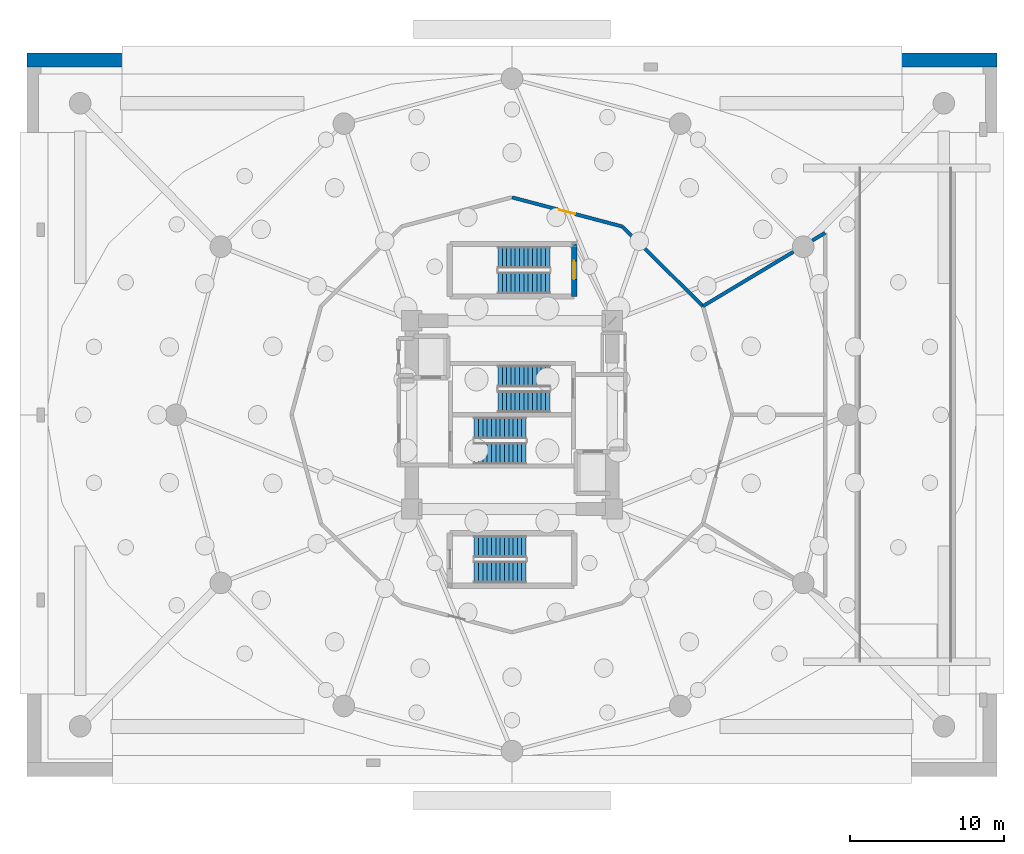
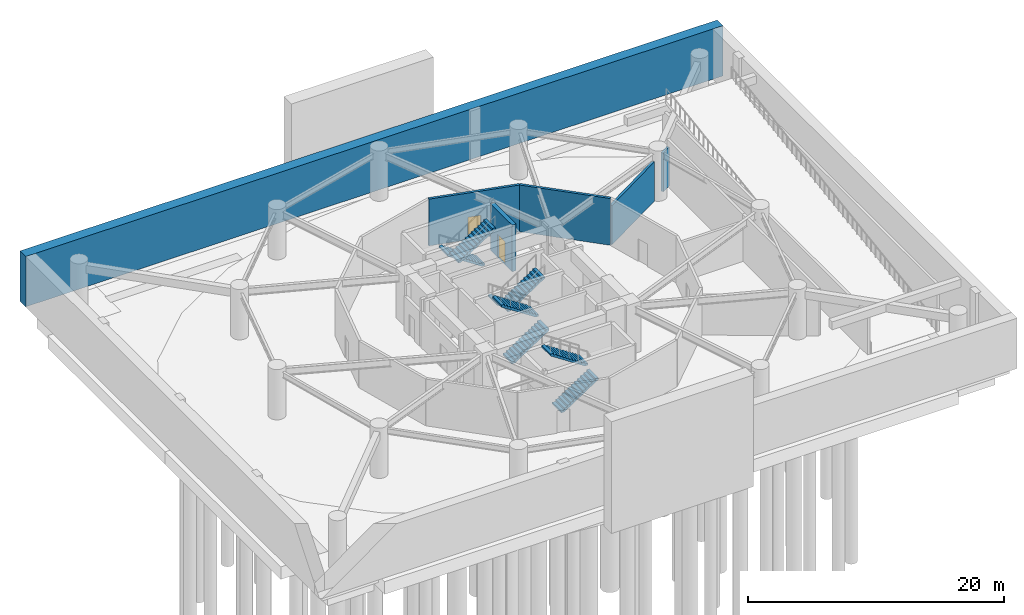
# One storey, part 9 of 12: 8 stair flights, 6 walls, 2 doors, 2 openings, 4 elements without a shape of their own.
"""IFC4 building model written with IfcOpenShell, lengths in metres."""

from ifc_helpers import new_model, si_unit, direction, frame, frame_2d, origin, place, context, subcontext, project, spatial, polyline, rectangle, outline, extrude, material, layer, layer_set, type_object, element, fill, aggregate, save


model = new_model("IFC4")

# Units and contexts
model_context = context("Model", 3, precision=1e-05, world=origin(), true_north=direction((0.0, 1.0)))
body_context = subcontext(model_context, "Body", "Model", "MODEL_VIEW")
ifc_project = project(units=[si_unit("LENGTHUNIT", "METRE"), si_unit("AREAUNIT", "SQUARE_METRE"), si_unit("VOLUMEUNIT", "CUBIC_METRE"), si_unit("PLANEANGLEUNIT", "RADIAN"), si_unit("MASSUNIT", "GRAM", prefix="KILO")], contexts=[model_context])

# Site, building, storey
site_placement = place(None, origin())
site = spatial("IfcSite", under=ifc_project, at=site_placement, CompositionType="ELEMENT")
building_placement = place(site_placement, origin())
building = spatial("IfcBuilding", under=site, at=building_placement, Name="Solvirekh Grand Hotel", CompositionType="ELEMENT")
storey_placement = place(building_placement, frame((0.0, 0.0, -9.60009765625)))
storey = spatial("IfcBuildingStorey", under=building, at=storey_placement, Name="B02", CompositionType="ELEMENT", Elevation=-9.60009765625)

# Wall, opening, door
ifc_material_1 = material(Name="Concrete C50/60", Category="concrete")
ifc_layer_1 = layer(ifc_material_1, 0.35009765625)
ifc_layer_set_1 = layer_set([ifc_layer_1], Name="Concrete C50/60")
wall_type_1 = type_object("IfcWallType", Name="CoreDivWall_RC350", PredefinedType="SOLIDWALL", material=ifc_layer_set_1)
wall_1_placement = place(storey_placement, frame((4.02490234375, 7.675048828125, 0.0), z_axis=(0.0, 0.0, 1.0), x_axis=(0.0, 1.0, 0.0)))
wall_1 = element("IfcWall", 1, at=wall_1_placement, inside=storey, type_object=wall_type_1, Name="B02 feature stair ST-4 east landing wall", PredefinedType="SOLIDWALL", context=body_context, shape_type="SweptSolid", body=[
    extrude(rectangle(XDim=3.39990234375, YDim=0.35009765625, at=frame_2d((1.699951171875, 0.0))), origin(), (0.0, 0.0, 1.0), 4.460205078125),
])
opening_1_placement = place(wall_1_placement, frame((1.10009765625, 0.0, 0.0)))
opening_1 = element("IfcOpeningElement", 2, at=opening_1_placement, cuts=wall_1, Name="Opening D05", PredefinedType="OPENING", context=body_context, shape_type="SweptSolid", body=[
    extrude(rectangle(XDim=1.199951171875, YDim=2.199951171875, at=frame_2d((0.60009765625, 1.10009765625))), frame((0.0, 0.18505859375, 0.0), z_axis=(0.0, -1.0, 0.0), x_axis=(1.0, 0.0, 0.0)), (0.0, 0.0, 1.0), 0.3701171875),
])
ifc_material_2 = material(Name="Fire-Rated Steel Door Assembly", Category="steel")
door_type_1 = type_object("IfcDoorType", Name="Door_StairCore_1200X2200", OperationType="NOTDEFINED", PredefinedType="DOOR", material=ifc_material_2)
door_1_placement = place(opening_1_placement, origin())
door_1 = element("IfcDoor", 3, at=door_1_placement, inside=storey, type_object=door_type_1, Name="B02 feature stair ST-4 fire door", OperationType="SINGLE_SWING_RIGHT", OverallHeight=2.199951171875, OverallWidth=1.199951171875, PredefinedType="DOOR", context=body_context, shape_type="SweptSolid", body=[
    extrude(rectangle(XDim=1.199951171875, YDim=2.199951171875, at=frame_2d((0.60009765625, 1.10009765625))), frame((0.0, 0.02490234375, 0.0), z_axis=(0.0, -1.0, 0.0), x_axis=(1.0, 0.0, 0.0)), (0.0, 0.0, 1.0), 0.050048828125),
])
fill(opening_1, door_1)

ifc_material_3 = material(Name="Precast concrete C45/55", Category="concrete")
ifc_layer_2 = layer(ifc_material_3, 0.22509765625)
ifc_layer_set_2 = layer_set([ifc_layer_2], Name="Precast concrete C45/55")
wall_type_2 = type_object("IfcWallType", Name="Part_Plant_225", PredefinedType="PARTITIONING", material=ifc_layer_set_2)
wall_2_placement = place(storey_placement, frame((7.14990234375, 12.2109375, 0.0), z_axis=(0.0, 0.0, 1.0), x_axis=(-0.966820901533, 0.255455170937, 0.0)))
wall_2 = element("IfcWall", 4, at=wall_2_placement, inside=storey, type_object=wall_type_2, Name="B02 B02 North Car Park & Accessible Bays entry wall", PredefinedType="PARTITIONING", context=body_context, shape_type="SweptSolid", body=[
    extrude(rectangle(XDim=7.395263671875, YDim=0.22509765625, at=frame_2d((3.69775390625, 0.0))), origin(), (0.0, 0.0, 1.0), 4.460205078125),
])
opening_2_placement = place(wall_2_placement, frame((3.173095703125, 0.0, 0.0)))
opening_2 = element("IfcOpeningElement", 5, at=opening_2_placement, cuts=wall_2, Name="Opening D12", PredefinedType="OPENING", context=body_context, shape_type="SweptSolid", body=[
    extrude(rectangle(XDim=1.050048828125, YDim=2.14990234375, at=frame_2d((0.52490234375, 1.074951171875))), frame((0.0, 0.12255859375, 0.0), z_axis=(0.0, -1.0, 0.0), x_axis=(1.0, 0.0, 0.0)), (0.0, 0.0, 1.0), 0.2451171875),
])
door_type_2 = type_object("IfcDoorType", Name="Door_PlantBOH_1050X2150", OperationType="NOTDEFINED", PredefinedType="DOOR", material=ifc_material_2)
door_2_placement = place(opening_2_placement, origin())
door_2 = element("IfcDoor", 6, at=door_2_placement, inside=storey, type_object=door_type_2, Name="B02 B02 North Car Park & Accessible Bays door", OperationType="SINGLE_SWING_LEFT", OverallHeight=2.14990234375, OverallWidth=1.050048828125, PredefinedType="DOOR", context=body_context, shape_type="SweptSolid", body=[
    extrude(rectangle(XDim=1.050048828125, YDim=2.14990234375, at=frame_2d((0.52490234375, 1.074951171875))), frame((0.0, 0.02490234375, 0.0), z_axis=(0.0, -1.0, 0.0), x_axis=(1.0, 0.0, 0.0)), (0.0, 0.0, 1.0), 0.050048828125),
])
fill(opening_2, door_2)

# Walls
wall_3_placement = place(storey_placement, frame((12.384033203125, 7.050048828125, 0.0), z_axis=(0.0, 0.0, 1.0), x_axis=(-0.712071304345, 0.702107155303, 0.0)))
element("IfcWall", 7, at=wall_3_placement, inside=storey, type_object=wall_type_2, Name="B02 B02 North Car Park & Accessible Bays corridor fire wall 1", PredefinedType="PARTITIONING", context=body_context, shape_type="SweptSolid", body=[
    extrude(rectangle(XDim=7.3505859375, YDim=0.22509765625, at=frame_2d((3.67529296875, 0.0))), origin(), (0.0, 0.0, 1.0), 4.460205078125),
])
wall_4_placement = place(storey_placement, frame((12.384033203125, 7.050048828125, 0.0), z_axis=(0.0, 0.0, 1.0), x_axis=(0.857483465664, 0.514511521846, 0.0)))
element("IfcWall", 8, at=wall_4_placement, inside=storey, type_object=wall_type_2, Name="B02 HV Substation & Emergency Generator Room enclosure wall 1 (A)", PredefinedType="PARTITIONING", context=body_context, shape_type="SweptSolid", body=[
    extrude(rectangle(XDim=6.83154296875, YDim=0.22509765625, at=frame_2d((3.415771484375, 0.0))), origin(), (0.0, 0.0, 1.0), 3.75),
])
wall_5_placement = place(storey_placement, frame((19.47509765625, 11.304931640625, 0.0), z_axis=(0.0, 0.0, 1.0), x_axis=(0.857425748935, 0.51460770016, 0.0)))
element("IfcWall", 9, at=wall_5_placement, inside=storey, type_object=wall_type_2, Name="B02 HV Substation & Emergency Generator Room enclosure wall 1 (B)", PredefinedType="PARTITIONING", context=body_context, shape_type="SweptSolid", body=[
    extrude(rectangle(XDim=0.962158203125, YDim=0.22509765625, at=frame_2d((0.48095703125, 0.0))), origin(), (0.0, 0.0, 1.0), 3.695068359375),
])
ifc_layer_3 = layer(ifc_material_1, 0.89990234375)
ifc_layer_set_3 = layer_set([ifc_layer_3], Name="Concrete C50/60")
wall_type_3 = type_object("IfcWallType", Name="RetainingWall_RC900", PredefinedType="SHEAR", material=ifc_layer_set_3)
wall_6_placement = place(storey_placement, frame((31.449951171875, 23.0, 0.0), z_axis=(0.0, 0.0, 1.0), x_axis=(-1.0, 0.0, 0.0)))
element("IfcWall", 10, at=wall_6_placement, inside=storey, type_object=wall_type_3, Name="B02 N perimeter retaining wall", PredefinedType="SHEAR", context=body_context, shape_type="SweptSolid", body=[
    extrude(rectangle(XDim=62.89990234375, YDim=0.89990234375, at=frame_2d((31.449951171875, 0.0))), origin(), (0.0, 0.0, 1.0), 4.800048828125),
])

# Stair, stair flights
ifc_material_4 = material(Name="Concrete C40/50", Category="concrete")
stair_type_1 = type_object("IfcStairType", Name="Stair_Core_1450", PredefinedType="HALF_TURN_STAIR", material=ifc_material_4)
stair_1_placement = place(storey_placement, origin())
stair_1 = element("IfcStair", 11, at=stair_1_placement, inside=storey, type_object=stair_type_1, Name="B02 Enclosed exit stair ST-1", PredefinedType="HALF_TURN_STAIR")
stair_flight_type_1 = type_object("IfcStairFlightType", Name="Flight_Core_1450", PredefinedType="STRAIGHT", material=ifc_material_4)
stair_flight_1_placement = place(storey_placement, frame((-2.449951171875, -2.5, 0.0), z_axis=(0.0, 0.0, 1.0), x_axis=(1.0, 0.0, 0.0)))
stair_flight_1 = element("IfcStairFlight", 12, at=stair_flight_1_placement, type_object=stair_flight_type_1, Name="ST-1 flight 1", NumberOfRisers=13, NumberOfTreads=12, PredefinedType="STRAIGHT", RiserHeight=0.184615385, TreadLength=0.28, context=body_context, shape_type="SweptSolid", body=[
    extrude(outline(polyline([(0.0, 0.0), (0.0, 0.1845703125), (0.280029296875, 0.1845703125), (0.280029296875, 0.369140625), (0.56005859375, 0.369140625), (0.56005859375, 0.553955078125), (0.840087890625, 0.553955078125), (0.840087890625, 0.738525390625), (1.1201171875, 0.738525390625), (1.1201171875, 0.923095703125), (1.39990234375, 0.923095703125), (1.39990234375, 1.107666015625), (1.679931640625, 1.107666015625), (1.679931640625, 1.292236328125), (1.9599609375, 1.292236328125), (1.9599609375, 1.476806640625), (2.239990234375, 1.476806640625), (2.239990234375, 1.66162109375), (2.52001953125, 1.66162109375), (2.52001953125, 1.84619140625), (2.800048828125, 1.84619140625), (2.800048828125, 2.03076171875), (3.080078125, 2.03076171875), (3.080078125, 2.21533203125), (3.360107421875, 2.21533203125), (3.360107421875, 2.39990234375), (3.360107421875, 2.035888671875), (0.272216796875, 0.0), (0.0, 0.0)])), frame((0.0, 0.699951171875, 0.0), z_axis=(0.0, -1.0, 0.0), x_axis=(1.0, 0.0, 0.0)), (0.0, 0.0, 1.0), 1.39990234375),
])
stair_flight_2_placement = place(storey_placement, frame((0.909912109375, -0.85009765625, 2.400146484375), z_axis=(0.0, 0.0, 1.0), x_axis=(-1.0, 0.0, 0.0)))
stair_flight_2 = element("IfcStairFlight", 13, at=stair_flight_2_placement, type_object=stair_flight_type_1, Name="ST-1 flight 2", NumberOfRisers=13, NumberOfTreads=12, PredefinedType="STRAIGHT", RiserHeight=0.184615385, TreadLength=0.28, context=body_context, shape_type="SweptSolid", body=[
    extrude(outline(polyline([(0.0, 0.0), (0.0, 0.1845703125), (0.280029296875, 0.1845703125), (0.280029296875, 0.369140625), (0.56005859375, 0.369140625), (0.56005859375, 0.553955078125), (0.840087890625, 0.553955078125), (0.840087890625, 0.738525390625), (1.1201171875, 0.738525390625), (1.1201171875, 0.923095703125), (1.39990234375, 0.923095703125), (1.39990234375, 1.107666015625), (1.679931640625, 1.107666015625), (1.679931640625, 1.292236328125), (1.9599609375, 1.292236328125), (1.9599609375, 1.476806640625), (2.239990234375, 1.476806640625), (2.239990234375, 1.66162109375), (2.52001953125, 1.66162109375), (2.52001953125, 1.84619140625), (2.800048828125, 1.84619140625), (2.800048828125, 2.03076171875), (3.080078125, 2.03076171875), (3.080078125, 2.21533203125), (3.360107421875, 2.21533203125), (3.360107421875, 2.39990234375), (3.360107421875, 2.035888671875), (0.272216796875, 0.0), (0.0, 0.0)])), frame((0.0, 0.699951171875, 0.0), z_axis=(0.0, -1.0, 0.0), x_axis=(1.0, 0.0, 0.0)), (0.0, 0.0, 1.0), 1.39990234375),
])
aggregate(stair_1, [stair_flight_1, stair_flight_2])

stair_2_placement = place(storey_placement, origin())
stair_2 = element("IfcStair", 14, at=stair_2_placement, inside=storey, type_object=stair_type_1, Name="B02 Enclosed exit stair ST-2", PredefinedType="HALF_TURN_STAIR")
stair_flight_3_placement = place(storey_placement, frame((2.449951171875, 2.5, 0.0), z_axis=(0.0, 0.0, 1.0), x_axis=(-1.0, 0.0, 0.0)))
stair_flight_3 = element("IfcStairFlight", 15, at=stair_flight_3_placement, type_object=stair_flight_type_1, Name="ST-2 flight 1", NumberOfRisers=13, NumberOfTreads=12, PredefinedType="STRAIGHT", RiserHeight=0.184615385, TreadLength=0.28, context=body_context, shape_type="SweptSolid", body=[
    extrude(outline(polyline([(0.0, 0.0), (0.0, 0.1845703125), (0.280029296875, 0.1845703125), (0.280029296875, 0.369140625), (0.56005859375, 0.369140625), (0.56005859375, 0.553955078125), (0.840087890625, 0.553955078125), (0.840087890625, 0.738525390625), (1.1201171875, 0.738525390625), (1.1201171875, 0.923095703125), (1.39990234375, 0.923095703125), (1.39990234375, 1.107666015625), (1.679931640625, 1.107666015625), (1.679931640625, 1.292236328125), (1.9599609375, 1.292236328125), (1.9599609375, 1.476806640625), (2.239990234375, 1.476806640625), (2.239990234375, 1.66162109375), (2.52001953125, 1.66162109375), (2.52001953125, 1.84619140625), (2.800048828125, 1.84619140625), (2.800048828125, 2.03076171875), (3.080078125, 2.03076171875), (3.080078125, 2.21533203125), (3.360107421875, 2.21533203125), (3.360107421875, 2.39990234375), (3.360107421875, 2.035888671875), (0.272216796875, 0.0), (0.0, 0.0)])), frame((0.0, 0.699951171875, 0.0), z_axis=(0.0, -1.0, 0.0), x_axis=(1.0, 0.0, 0.0)), (0.0, 0.0, 1.0), 1.39990234375),
])
stair_flight_4_placement = place(storey_placement, frame((-0.909912109375, 0.85009765625, 2.400146484375), z_axis=(0.0, 0.0, 1.0), x_axis=(1.0, 0.0, 0.0)))
stair_flight_4 = element("IfcStairFlight", 16, at=stair_flight_4_placement, type_object=stair_flight_type_1, Name="ST-2 flight 2", NumberOfRisers=13, NumberOfTreads=12, PredefinedType="STRAIGHT", RiserHeight=0.184615385, TreadLength=0.28, context=body_context, shape_type="SweptSolid", body=[
    extrude(outline(polyline([(0.0, 0.0), (0.0, 0.1845703125), (0.280029296875, 0.1845703125), (0.280029296875, 0.369140625), (0.56005859375, 0.369140625), (0.56005859375, 0.553955078125), (0.840087890625, 0.553955078125), (0.840087890625, 0.738525390625), (1.1201171875, 0.738525390625), (1.1201171875, 0.923095703125), (1.39990234375, 0.923095703125), (1.39990234375, 1.107666015625), (1.679931640625, 1.107666015625), (1.679931640625, 1.292236328125), (1.9599609375, 1.292236328125), (1.9599609375, 1.476806640625), (2.239990234375, 1.476806640625), (2.239990234375, 1.66162109375), (2.52001953125, 1.66162109375), (2.52001953125, 1.84619140625), (2.800048828125, 1.84619140625), (2.800048828125, 2.03076171875), (3.080078125, 2.03076171875), (3.080078125, 2.21533203125), (3.360107421875, 2.21533203125), (3.360107421875, 2.39990234375), (3.360107421875, 2.035888671875), (0.272216796875, 0.0), (0.0, 0.0)])), frame((0.0, 0.699951171875, 0.0), z_axis=(0.0, -1.0, 0.0), x_axis=(1.0, 0.0, 0.0)), (0.0, 0.0, 1.0), 1.39990234375),
])
aggregate(stair_2, [stair_flight_3, stair_flight_4])

ifc_material_5 = material(Name="Steel S355", Category="steel")
stair_type_2 = type_object("IfcStairType", Name="Stair_Grand_2000", PredefinedType="STRAIGHT_RUN_STAIR", material=ifc_material_5)
stair_3_placement = place(storey_placement, origin())
stair_3 = element("IfcStair", 17, at=stair_3_placement, inside=storey, type_object=stair_type_2, Name="B02 Enclosed exit stair ST-4", PredefinedType="STRAIGHT_RUN_STAIR")
stair_flight_type_2 = type_object("IfcStairFlightType", Name="Flight_Grand_2000", PredefinedType="STRAIGHT", material=ifc_material_5)
stair_flight_5_placement = place(storey_placement, frame((2.449951171875, 10.199951171875, 0.0), z_axis=(0.0, 0.0, 1.0), x_axis=(-1.0, 0.0, 0.0)))
stair_flight_5 = element("IfcStairFlight", 18, at=stair_flight_5_placement, type_object=stair_flight_type_2, Name="ST-4 flight 1", NumberOfRisers=13, NumberOfTreads=12, PredefinedType="STRAIGHT", RiserHeight=0.184615385, TreadLength=0.28, context=body_context, shape_type="SweptSolid", body=[
    extrude(outline(polyline([(0.0, 0.0), (0.0, 0.1845703125), (0.280029296875, 0.1845703125), (0.280029296875, 0.369140625), (0.56005859375, 0.369140625), (0.56005859375, 0.553955078125), (0.840087890625, 0.553955078125), (0.840087890625, 0.738525390625), (1.1201171875, 0.738525390625), (1.1201171875, 0.923095703125), (1.39990234375, 0.923095703125), (1.39990234375, 1.107666015625), (1.679931640625, 1.107666015625), (1.679931640625, 1.292236328125), (1.9599609375, 1.292236328125), (1.9599609375, 1.476806640625), (2.239990234375, 1.476806640625), (2.239990234375, 1.66162109375), (2.52001953125, 1.66162109375), (2.52001953125, 1.84619140625), (2.800048828125, 1.84619140625), (2.800048828125, 2.03076171875), (3.080078125, 2.03076171875), (3.080078125, 2.21533203125), (3.360107421875, 2.21533203125), (3.360107421875, 2.39990234375), (3.360107421875, 2.035888671875), (0.272216796875, 0.0), (0.0, 0.0)])), frame((0.0, 0.699951171875, 0.0), z_axis=(0.0, -1.0, 0.0), x_axis=(1.0, 0.0, 0.0)), (0.0, 0.0, 1.0), 1.39990234375),
])
stair_flight_6_placement = place(storey_placement, frame((-0.909912109375, 8.550048828125, 2.400146484375), z_axis=(0.0, 0.0, 1.0), x_axis=(1.0, 0.0, 0.0)))
stair_flight_6 = element("IfcStairFlight", 19, at=stair_flight_6_placement, type_object=stair_flight_type_2, Name="ST-4 flight 2", NumberOfRisers=13, NumberOfTreads=12, PredefinedType="STRAIGHT", RiserHeight=0.184615385, TreadLength=0.28, context=body_context, shape_type="SweptSolid", body=[
    extrude(outline(polyline([(0.0, 0.0), (0.0, 0.1845703125), (0.280029296875, 0.1845703125), (0.280029296875, 0.369140625), (0.56005859375, 0.369140625), (0.56005859375, 0.553955078125), (0.840087890625, 0.553955078125), (0.840087890625, 0.738525390625), (1.1201171875, 0.738525390625), (1.1201171875, 0.923095703125), (1.39990234375, 0.923095703125), (1.39990234375, 1.107666015625), (1.679931640625, 1.107666015625), (1.679931640625, 1.292236328125), (1.9599609375, 1.292236328125), (1.9599609375, 1.476806640625), (2.239990234375, 1.476806640625), (2.239990234375, 1.66162109375), (2.52001953125, 1.66162109375), (2.52001953125, 1.84619140625), (2.800048828125, 1.84619140625), (2.800048828125, 2.03076171875), (3.080078125, 2.03076171875), (3.080078125, 2.21533203125), (3.360107421875, 2.21533203125), (3.360107421875, 2.39990234375), (3.360107421875, 2.035888671875), (0.272216796875, 0.0), (0.0, 0.0)])), frame((0.0, 0.699951171875, 0.0), z_axis=(0.0, -1.0, 0.0), x_axis=(1.0, 0.0, 0.0)), (0.0, 0.0, 1.0), 1.39990234375),
])
aggregate(stair_3, [stair_flight_5, stair_flight_6])

stair_type_3 = type_object("IfcStairType", Name="Stair_Pod_1600", PredefinedType="HALF_TURN_STAIR", material=ifc_material_4)
stair_4_placement = place(storey_placement, origin())
stair_4 = element("IfcStair", 20, at=stair_4_placement, inside=storey, type_object=stair_type_3, Name="B02 Enclosed exit stair ST-3", PredefinedType="HALF_TURN_STAIR")
stair_flight_type_3 = type_object("IfcStairFlightType", Name="Flight_Pod_1600", PredefinedType="STRAIGHT", material=ifc_material_4)
stair_flight_7_placement = place(storey_placement, frame((-2.449951171875, -10.199951171875, 0.0), z_axis=(0.0, 0.0, 1.0), x_axis=(1.0, 0.0, 0.0)))
stair_flight_7 = element("IfcStairFlight", 21, at=stair_flight_7_placement, type_object=stair_flight_type_3, Name="ST-3 flight 1", NumberOfRisers=13, NumberOfTreads=12, PredefinedType="STRAIGHT", RiserHeight=0.184615385, TreadLength=0.28, context=body_context, shape_type="SweptSolid", body=[
    extrude(outline(polyline([(0.0, 0.0), (0.0, 0.1845703125), (0.280029296875, 0.1845703125), (0.280029296875, 0.369140625), (0.56005859375, 0.369140625), (0.56005859375, 0.553955078125), (0.840087890625, 0.553955078125), (0.840087890625, 0.738525390625), (1.1201171875, 0.738525390625), (1.1201171875, 0.923095703125), (1.39990234375, 0.923095703125), (1.39990234375, 1.107666015625), (1.679931640625, 1.107666015625), (1.679931640625, 1.292236328125), (1.9599609375, 1.292236328125), (1.9599609375, 1.476806640625), (2.239990234375, 1.476806640625), (2.239990234375, 1.66162109375), (2.52001953125, 1.66162109375), (2.52001953125, 1.84619140625), (2.800048828125, 1.84619140625), (2.800048828125, 2.03076171875), (3.080078125, 2.03076171875), (3.080078125, 2.21533203125), (3.360107421875, 2.21533203125), (3.360107421875, 2.39990234375), (3.360107421875, 2.035888671875), (0.272216796875, 0.0), (0.0, 0.0)])), frame((0.0, 0.699951171875, 0.0), z_axis=(0.0, -1.0, 0.0), x_axis=(1.0, 0.0, 0.0)), (0.0, 0.0, 1.0), 1.39990234375),
])
stair_flight_8_placement = place(storey_placement, frame((0.909912109375, -8.550048828125, 2.400146484375), z_axis=(0.0, 0.0, 1.0), x_axis=(-1.0, 0.0, 0.0)))
stair_flight_8 = element("IfcStairFlight", 22, at=stair_flight_8_placement, type_object=stair_flight_type_3, Name="ST-3 flight 2", NumberOfRisers=13, NumberOfTreads=12, PredefinedType="STRAIGHT", RiserHeight=0.184615385, TreadLength=0.28, context=body_context, shape_type="SweptSolid", body=[
    extrude(outline(polyline([(0.0, 0.0), (0.0, 0.1845703125), (0.280029296875, 0.1845703125), (0.280029296875, 0.369140625), (0.56005859375, 0.369140625), (0.56005859375, 0.553955078125), (0.840087890625, 0.553955078125), (0.840087890625, 0.738525390625), (1.1201171875, 0.738525390625), (1.1201171875, 0.923095703125), (1.39990234375, 0.923095703125), (1.39990234375, 1.107666015625), (1.679931640625, 1.107666015625), (1.679931640625, 1.292236328125), (1.9599609375, 1.292236328125), (1.9599609375, 1.476806640625), (2.239990234375, 1.476806640625), (2.239990234375, 1.66162109375), (2.52001953125, 1.66162109375), (2.52001953125, 1.84619140625), (2.800048828125, 1.84619140625), (2.800048828125, 2.03076171875), (3.080078125, 2.03076171875), (3.080078125, 2.21533203125), (3.360107421875, 2.21533203125), (3.360107421875, 2.39990234375), (3.360107421875, 2.035888671875), (0.272216796875, 0.0), (0.0, 0.0)])), frame((0.0, 0.699951171875, 0.0), z_axis=(0.0, -1.0, 0.0), x_axis=(1.0, 0.0, 0.0)), (0.0, 0.0, 1.0), 1.39990234375),
])
aggregate(stair_4, [stair_flight_7, stair_flight_8])

save(model, "model.ifc")
